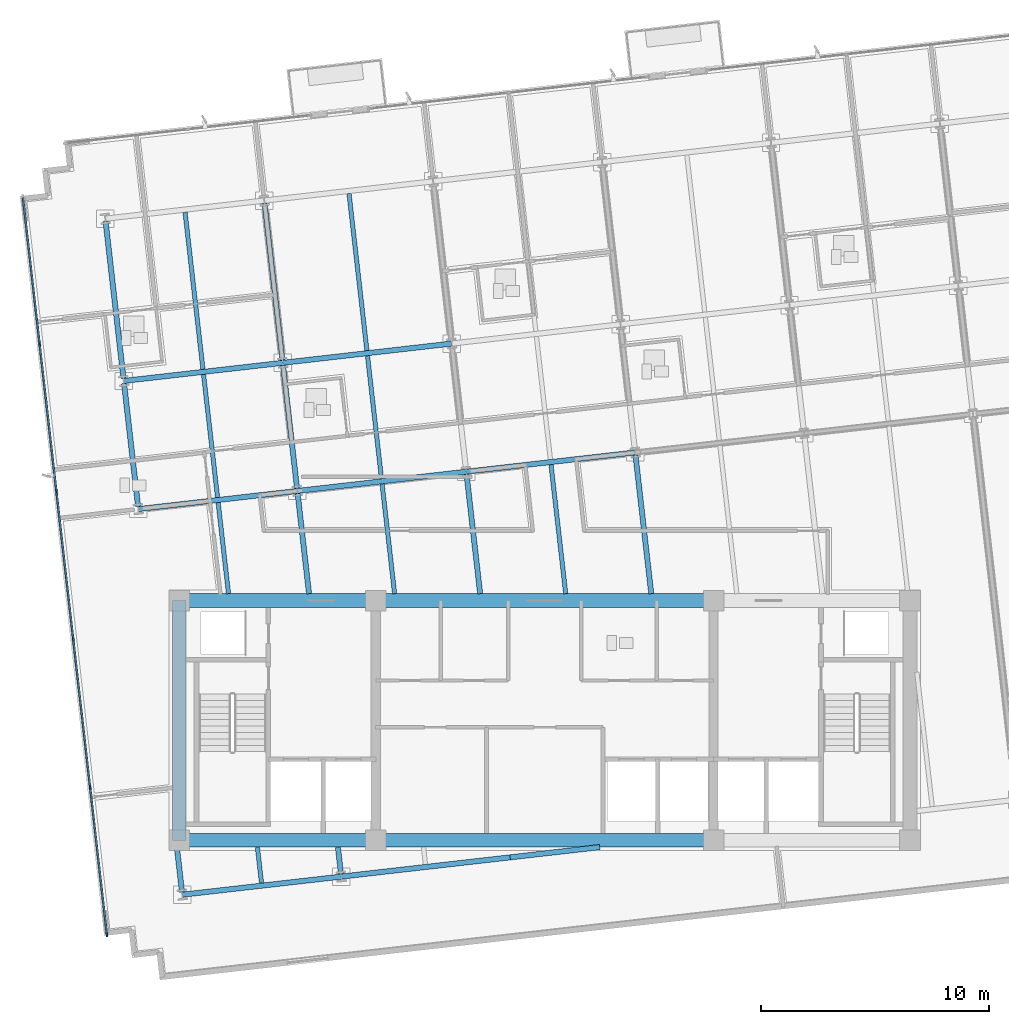
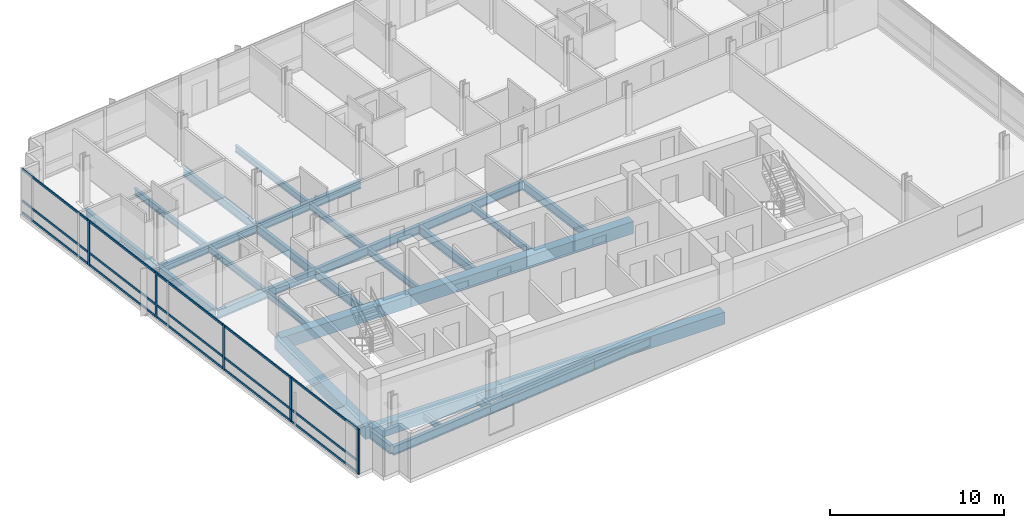
# One storey, part 2 of 17: 30 beams, 20 members, 1 element without a shape of its own.
"""IFC4 building model written with IfcOpenShell, lengths in metres."""

from ifc_helpers import new_model, si_unit, direction, frame, origin, origin_2d, place, context, subcontext, project, spatial, rectangle, i_section, extrude, material, material_profile, profile_set, type_object, element, aggregate, save


model = new_model("IFC4")

# Units and contexts
model_context = context("Model", 3, precision=1e-05, world=origin(), true_north=direction((0.0, 1.0)))
body_context = subcontext(model_context, "Body", "Model", "MODEL_VIEW")
ifc_project = project(units=[si_unit("LENGTHUNIT", "METRE"), si_unit("AREAUNIT", "SQUARE_METRE"), si_unit("VOLUMEUNIT", "CUBIC_METRE"), si_unit("PLANEANGLEUNIT", "RADIAN"), si_unit("MASSUNIT", "GRAM", prefix="KILO")], contexts=[model_context])

# Site, building, storey
site_placement = place(None, origin())
site = spatial("IfcSite", under=ifc_project, at=site_placement, CompositionType="ELEMENT")
building_placement = place(site_placement, origin())
building = spatial("IfcBuilding", under=site, at=building_placement, Name="Solmavex Isthmus Hotel", CompositionType="ELEMENT")
storey_placement = place(building_placement, frame((0.0, 0.0, 198.60009765625)))
storey = spatial("IfcBuildingStorey", under=building, at=storey_placement, Name="L53", CompositionType="ELEMENT", Elevation=198.60009765625)

# Beams
ifc_material_1 = material(Name="Steel ASTM A992 Grade 50", Category="steel")
ifc_material_profile_1 = material_profile(ifc_material_1, i_section(OverallWidth=0.1904296875, OverallDepth=0.456787109375, WebThickness=0.009033203125, FlangeThickness=0.014404296875, FilletRadius=0.0126953125, at=origin_2d()), Name="W18X50")
ifc_profile_set_1 = profile_set([ifc_material_profile_1], Name="Steel ASTM A992 Grade 50")
beam_type_1 = type_object("IfcBeamType", Name="BM-BJ-W18X50", PredefinedType="JOIST", material=ifc_profile_set_1)
beam_1_placement = place(storey_placement, frame((-12.404052734375, -14.872314453125, -0.488525390625), z_axis=(-0.113242002738, 0.993567435465, 0.0), x_axis=(-0.993567435465, -0.113242002738, 0.0)))
element("IfcBeam", 1, at=beam_1_placement, inside=storey, type_object=beam_type_1, Name="Secondary Floor Joist L53-J01", PredefinedType="JOIST", context=body_context, shape_type="SweptSolid", body=[
    extrude(i_section(OverallWidth=0.1904296875, OverallDepth=0.456787109375, WebThickness=0.009033203125, FlangeThickness=0.014404296875, FilletRadius=0.0126953125, at=origin_2d()), origin(), (0.0, 0.0, 1.0), 1.58251953125),
])
beam_2_placement = place(storey_placement, frame((-13.847900390625, -2.199951171875, -0.488525390625), z_axis=(-0.113179724577, 0.993574531651, 0.0), x_axis=(-0.993574531651, -0.113179724577, 0.0)))
element("IfcBeam", 2, at=beam_2_placement, inside=storey, type_object=beam_type_1, Name="Secondary Floor Joist L53-J02", PredefinedType="JOIST", context=body_context, shape_type="SweptSolid", body=[
    extrude(i_section(OverallWidth=0.1904296875, OverallDepth=0.456787109375, WebThickness=0.009033203125, FlangeThickness=0.014404296875, FilletRadius=0.0126953125, at=origin_2d()), origin(), (0.0, 0.0, 1.0), 4.0166015625),
])
beam_3_placement = place(storey_placement, frame((-14.328369140625, 2.01708984375, -0.488525390625), z_axis=(-0.113189626161, 0.993573403695, 0.0), x_axis=(-0.993573403695, -0.113189626161, 0.0)))
element("IfcBeam", 3, at=beam_3_placement, inside=storey, type_object=beam_type_1, Name="Secondary Floor Joist L53-J03", PredefinedType="JOIST", context=body_context, shape_type="SweptSolid", body=[
    extrude(i_section(OverallWidth=0.1904296875, OverallDepth=0.456787109375, WebThickness=0.009033203125, FlangeThickness=0.014404296875, FilletRadius=0.0126953125, at=origin_2d()), origin(), (0.0, 0.0, 1.0), 5.42041015625),
])
beam_4_placement = place(storey_placement, frame((-14.9677734375, 7.62890625, -0.488525390625), z_axis=(-0.113202453846, 0.993571942258, 0.0), x_axis=(-0.993571942258, -0.113202453846, 0.0)))
element("IfcBeam", 4, at=beam_4_placement, inside=storey, type_object=beam_type_1, Name="Secondary Floor Joist L53-J04", PredefinedType="JOIST", context=body_context, shape_type="SweptSolid", body=[
    extrude(i_section(OverallWidth=0.1904296875, OverallDepth=0.456787109375, WebThickness=0.009033203125, FlangeThickness=0.014404296875, FilletRadius=0.0126953125, at=origin_2d()), origin(), (0.0, 0.0, 1.0), 6.9228515625),
])
beam_5_placement = place(storey_placement, frame((-6.57421875, -2.199951171875, -0.488525390625), z_axis=(-0.113193768539, 0.993572931779, 0.0), x_axis=(-0.993572931779, -0.113193768539, 0.0)))
element("IfcBeam", 5, at=beam_5_placement, inside=storey, type_object=beam_type_1, Name="Secondary Floor Joist L53-J06", PredefinedType="JOIST", context=body_context, shape_type="SweptSolid", body=[
    extrude(i_section(OverallWidth=0.1904296875, OverallDepth=0.456787109375, WebThickness=0.009033203125, FlangeThickness=0.014404296875, FilletRadius=0.0126953125, at=origin_2d()), origin(), (0.0, 0.0, 1.0), 4.83984375),
])
beam_6_placement = place(storey_placement, frame((-7.14794921875, 2.835205078125, -0.488525390625), z_axis=(-0.113189626161, 0.993573403695, 0.0), x_axis=(-0.993573403695, -0.113189626161, 0.0)))
element("IfcBeam", 6, at=beam_6_placement, inside=storey, type_object=beam_type_1, Name="Secondary Floor Joist L53-J07", PredefinedType="JOIST", context=body_context, shape_type="SweptSolid", body=[
    extrude(i_section(OverallWidth=0.1904296875, OverallDepth=0.456787109375, WebThickness=0.009033203125, FlangeThickness=0.014404296875, FilletRadius=0.0126953125, at=origin_2d()), origin(), (0.0, 0.0, 1.0), 5.42041015625),
])
beam_7_placement = place(storey_placement, frame((-7.787109375, 8.447021484375, -0.488525390625), z_axis=(-0.113202453846, 0.993571942258, 0.0), x_axis=(-0.993571942258, -0.113202453846, 0.0)))
element("IfcBeam", 7, at=beam_7_placement, inside=storey, type_object=beam_type_1, Name="Secondary Floor Joist L53-J08", PredefinedType="JOIST", context=body_context, shape_type="SweptSolid", body=[
    extrude(i_section(OverallWidth=0.1904296875, OverallDepth=0.456787109375, WebThickness=0.009033203125, FlangeThickness=0.014404296875, FilletRadius=0.0126953125, at=origin_2d()), origin(), (0.0, 0.0, 1.0), 6.9228515625),
])
beam_8_placement = place(storey_placement, frame((0.920166015625, -2.199951171875, -0.488525390625), z_axis=(-0.113219765873, 0.993569969663, 0.0), x_axis=(-0.993569969663, -0.113219765873, 0.0)))
element("IfcBeam", 8, at=beam_8_placement, inside=storey, type_object=beam_type_1, Name="Secondary Floor Joist L53-J09", PredefinedType="JOIST", context=body_context, shape_type="SweptSolid", body=[
    extrude(i_section(OverallWidth=0.1904296875, OverallDepth=0.456787109375, WebThickness=0.009033203125, FlangeThickness=0.014404296875, FilletRadius=0.0126953125, at=origin_2d()), origin(), (0.0, 0.0, 1.0), 5.6884765625),
])
ifc_material_profile_2 = material_profile(ifc_material_1, i_section(OverallWidth=0.227783203125, OverallDepth=0.602783203125, WebThickness=0.010498046875, FlangeThickness=0.014892578125, FilletRadius=0.01513671875, at=origin_2d()), Name="W24X68")
ifc_profile_set_2 = profile_set([ifc_material_profile_2], Name="Steel ASTM A992 Grade 50")
beam_type_2 = type_object("IfcBeamType", Name="BM-BM-W24X68", PredefinedType="BEAM", material=ifc_profile_set_2)
beam_9_placement = place(storey_placement, frame((-17.796875, 1.50732421875, -0.5615234375), z_axis=(0.993569675103, 0.113222350774, 0.0), x_axis=(-0.113222350774, 0.993569675103, 0.0)))
element("IfcBeam", 9, at=beam_9_placement, inside=storey, type_object=beam_type_2, Name="Floor Girder L53-UG06", PredefinedType="BEAM", context=body_context, shape_type="SweptSolid", body=[
    extrude(i_section(OverallWidth=0.227783203125, OverallDepth=0.602783203125, WebThickness=0.010498046875, FlangeThickness=0.014892578125, FilletRadius=0.01513671875, at=origin_2d()), origin(), (0.0, 0.0, 1.0), 7.008056640625),
])
beam_10_placement = place(storey_placement, frame((-10.833984375, 2.30078125, -0.5615234375), z_axis=(0.993574034044, 0.113184092846, 0.0), x_axis=(-0.113184092846, 0.993574034044, 0.0)))
element("IfcBeam", 10, at=beam_10_placement, inside=storey, type_object=beam_type_2, Name="Floor Girder L53-UG07", PredefinedType="BEAM", context=body_context, shape_type="SweptSolid", body=[
    extrude(i_section(OverallWidth=0.227783203125, OverallDepth=0.602783203125, WebThickness=0.010498046875, FlangeThickness=0.014892578125, FilletRadius=0.01513671875, at=origin_2d()), origin(), (0.0, 0.0, 1.0), 7.446044921875),
])
beam_11_placement = place(storey_placement, frame((-3.435791015625, 3.1435546875, -0.5615234375), z_axis=(0.993569926006, 0.113220148984, 0.0), x_axis=(-0.113220148984, 0.993569926006, 0.0)))
element("IfcBeam", 11, at=beam_11_placement, inside=storey, type_object=beam_type_2, Name="Floor Girder L53-UG08", PredefinedType="BEAM", context=body_context, shape_type="SweptSolid", body=[
    extrude(i_section(OverallWidth=0.227783203125, OverallDepth=0.602783203125, WebThickness=0.010498046875, FlangeThickness=0.014892578125, FilletRadius=0.01513671875, at=origin_2d()), origin(), (0.0, 0.0, 1.0), 7.44580078125),
])
beam_12_placement = place(storey_placement, frame((-18.436279296875, 7.119140625, -0.5615234375), z_axis=(0.99357359356, 0.113187959519, 0.0), x_axis=(-0.113187959519, 0.99357359356, 0.0)))
element("IfcBeam", 12, at=beam_12_placement, inside=storey, type_object=beam_type_2, Name="Floor Girder L53-UG12", PredefinedType="BEAM", context=body_context, shape_type="SweptSolid", body=[
    extrude(i_section(OverallWidth=0.227783203125, OverallDepth=0.602783203125, WebThickness=0.010498046875, FlangeThickness=0.014892578125, FilletRadius=0.01513671875, at=origin_2d()), origin(), (0.0, 0.0, 1.0), 7.0078125),
])
beam_13_placement = place(storey_placement, frame((-11.473388671875, 7.912353515625, -0.5615234375), z_axis=(0.9935703463, 0.113216460607, 0.0), x_axis=(-0.113216460607, 0.9935703463, 0.0)))
element("IfcBeam", 13, at=beam_13_placement, inside=storey, type_object=beam_type_2, Name="Floor Girder L53-UG13", PredefinedType="BEAM", context=body_context, shape_type="SweptSolid", body=[
    extrude(i_section(OverallWidth=0.227783203125, OverallDepth=0.602783203125, WebThickness=0.010498046875, FlangeThickness=0.014892578125, FilletRadius=0.01513671875, at=origin_2d()), origin(), (0.0, 0.0, 1.0), 7.446044921875),
])
beam_14_placement = place(storey_placement, frame((-8.922607421875, -14.4755859375, -0.5615234375), z_axis=(-0.113284703976, 0.993562567655, 0.0), x_axis=(-0.993562567655, -0.113284703976, 0.0)))
element("IfcBeam", 14, at=beam_14_placement, inside=storey, type_object=beam_type_2, Name="Floor Beam L53-VG27", PredefinedType="BEAM", context=body_context, shape_type="SweptSolid", body=[
    extrude(i_section(OverallWidth=0.227783203125, OverallDepth=0.602783203125, WebThickness=0.010498046875, FlangeThickness=0.014892578125, FilletRadius=0.01513671875, at=origin_2d()), origin(), (0.0, 0.0, 1.0), 1.18310546875),
])
beam_15_placement = place(storey_placement, frame((-10.3212890625, -2.199951171875, -0.5615234375), z_axis=(-0.113173914695, 0.993575193447, 0.0), x_axis=(-0.993575193447, -0.113173914695, 0.0)))
element("IfcBeam", 15, at=beam_15_placement, inside=storey, type_object=beam_type_2, Name="Floor Beam L53-VG28", PredefinedType="BEAM", context=body_context, shape_type="SweptSolid", body=[
    extrude(i_section(OverallWidth=0.227783203125, OverallDepth=0.602783203125, WebThickness=0.010498046875, FlangeThickness=0.014892578125, FilletRadius=0.01513671875, at=origin_2d()), origin(), (0.0, 0.0, 1.0), 4.415771484375),
])
beam_16_placement = place(storey_placement, frame((-10.846923828125, 2.413818359375, -0.5615234375), z_axis=(-0.113189626161, 0.993573403695, 0.0), x_axis=(-0.993573403695, -0.113189626161, 0.0)))
element("IfcBeam", 16, at=beam_16_placement, inside=storey, type_object=beam_type_2, Name="Floor Beam L53-VG29", PredefinedType="BEAM", context=body_context, shape_type="SweptSolid", body=[
    extrude(i_section(OverallWidth=0.227783203125, OverallDepth=0.602783203125, WebThickness=0.010498046875, FlangeThickness=0.014892578125, FilletRadius=0.01513671875, at=origin_2d()), origin(), (0.0, 0.0, 1.0), 5.42041015625),
])
beam_17_placement = place(storey_placement, frame((-11.486328125, 8.025634765625, -0.5615234375), z_axis=(-0.113202453846, 0.993571942258, 0.0), x_axis=(-0.993571942258, -0.113202453846, 0.0)))
element("IfcBeam", 17, at=beam_17_placement, inside=storey, type_object=beam_type_2, Name="Floor Beam L53-VG30", PredefinedType="BEAM", context=body_context, shape_type="SweptSolid", body=[
    extrude(i_section(OverallWidth=0.227783203125, OverallDepth=0.602783203125, WebThickness=0.010498046875, FlangeThickness=0.014892578125, FilletRadius=0.01513671875, at=origin_2d()), origin(), (0.0, 0.0, 1.0), 6.9228515625),
])
beam_18_placement = place(storey_placement, frame((-2.8271484375, -2.199951171875, -0.5615234375), z_axis=(-0.113159423971, 0.993576843916, 0.0), x_axis=(-0.993576843916, -0.113159423971, 0.0)))
element("IfcBeam", 18, at=beam_18_placement, inside=storey, type_object=beam_type_2, Name="Floor Beam L53-VG31", PredefinedType="BEAM", context=body_context, shape_type="SweptSolid", body=[
    extrude(i_section(OverallWidth=0.227783203125, OverallDepth=0.602783203125, WebThickness=0.010498046875, FlangeThickness=0.014892578125, FilletRadius=0.01513671875, at=origin_2d()), origin(), (0.0, 0.0, 1.0), 5.26416015625),
])
beam_19_placement = place(storey_placement, frame((4.667236328125, -2.199951171875, -0.5615234375), z_axis=(-0.113232304752, 0.993568540746, 0.0), x_axis=(-0.993568540746, -0.113232304752, 0.0)))
element("IfcBeam", 19, at=beam_19_placement, inside=storey, type_object=beam_type_2, Name="Floor Beam L53-VG34", PredefinedType="BEAM", context=body_context, shape_type="SweptSolid", body=[
    extrude(i_section(OverallWidth=0.227783203125, OverallDepth=0.602783203125, WebThickness=0.010498046875, FlangeThickness=0.014892578125, FilletRadius=0.01513671875, at=origin_2d()), origin(), (0.0, 0.0, 1.0), 6.112548828125),
])
ifc_material_2 = material(Name="Concrete C50/60", Category="concrete")
ifc_material_profile_3 = material_profile(ifc_material_2, rectangle(XDim=0.60009765625, YDim=0.85009765625, at=origin_2d()), Name="RC600X850")
ifc_profile_set_3 = profile_set([ifc_material_profile_3], Name="Concrete C50/60")
beam_type_3 = type_object("IfcBeamType", Name="BM-CB-600X850", PredefinedType="BEAM", material=ifc_profile_set_3)
beam_20_placement = place(storey_placement, frame((-16.0, -13.0, -0.68505859375), z_axis=(1.0, 0.0, 0.0), x_axis=(0.0, 1.0, 0.0)))
element("IfcBeam", 20, at=beam_20_placement, inside=storey, type_object=beam_type_3, Name="Core Coupling Beam L53-CB1", PredefinedType="BEAM", context=body_context, shape_type="SweptSolid", body=[
    extrude(rectangle(XDim=0.60009765625, YDim=0.85009765625, at=origin_2d()), origin(), (0.0, 0.0, 1.0), 8.60009765625),
])
beam_21_placement = place(storey_placement, frame((-7.39990234375, -13.0, -0.68505859375), z_axis=(1.0, 0.0, 0.0), x_axis=(0.0, 1.0, 0.0)))
element("IfcBeam", 21, at=beam_21_placement, inside=storey, type_object=beam_type_3, Name="Core Coupling Beam L53-CB2", PredefinedType="BEAM", context=body_context, shape_type="SweptSolid", body=[
    extrude(rectangle(XDim=0.60009765625, YDim=0.85009765625, at=origin_2d()), origin(), (0.0, 0.0, 1.0), 14.7998046875),
])
beam_22_placement = place(storey_placement, frame((-16.0, -2.5, -0.68505859375), z_axis=(1.0, 0.0, 0.0), x_axis=(0.0, 1.0, 0.0)))
element("IfcBeam", 22, at=beam_22_placement, inside=storey, type_object=beam_type_3, Name="Core Coupling Beam L53-CB4", PredefinedType="BEAM", context=body_context, shape_type="SweptSolid", body=[
    extrude(rectangle(XDim=0.60009765625, YDim=0.85009765625, at=origin_2d()), origin(), (0.0, 0.0, 1.0), 8.60009765625),
])
beam_23_placement = place(storey_placement, frame((-7.39990234375, -2.5, -0.68505859375), z_axis=(1.0, 0.0, 0.0), x_axis=(0.0, 1.0, 0.0)))
element("IfcBeam", 23, at=beam_23_placement, inside=storey, type_object=beam_type_3, Name="Core Coupling Beam L53-CB5", PredefinedType="BEAM", context=body_context, shape_type="SweptSolid", body=[
    extrude(rectangle(XDim=0.60009765625, YDim=0.85009765625, at=origin_2d()), origin(), (0.0, 0.0, 1.0), 14.7998046875),
])
beam_24_placement = place(storey_placement, frame((-16.0, -13.0, -0.68505859375), z_axis=(0.0, 1.0, 0.0), x_axis=(-1.0, 0.0, 0.0)))
element("IfcBeam", 24, at=beam_24_placement, inside=storey, type_object=beam_type_3, Name="Core Coupling Beam L53-CB7", PredefinedType="BEAM", context=body_context, shape_type="SweptSolid", body=[
    extrude(rectangle(XDim=0.60009765625, YDim=0.85009765625, at=origin_2d()), origin(), (0.0, 0.0, 1.0), 10.5),
])
ifc_material_profile_4 = material_profile(ifc_material_1, i_section(OverallWidth=0.230224609375, OverallDepth=0.617431640625, WebThickness=0.01318359375, FlangeThickness=0.022216796875, FilletRadius=0.01513671875, at=origin_2d()), Name="W24X94")
ifc_profile_set_4 = profile_set([ifc_material_profile_4], Name="Steel ASTM A992 Grade 50")
beam_type_4 = type_object("IfcBeamType", Name="BM-SP-W24X94", PredefinedType="SPANDREL", material=ifc_profile_set_4)
beam_25_placement = place(storey_placement, frame((-15.87255859375, -15.38330078125, -0.56884765625), z_axis=(0.993574039862, 0.113184041777, 0.0), x_axis=(-0.113184041777, 0.993574039862, 0.0)))
element("IfcBeam", 25, at=beam_25_placement, inside=storey, type_object=beam_type_4, Name="Floor Girder L53-UG01", PredefinedType="SPANDREL", context=body_context, shape_type="SweptSolid", body=[
    extrude(i_section(OverallWidth=0.230224609375, OverallDepth=0.617431640625, WebThickness=0.01318359375, FlangeThickness=0.022216796875, FilletRadius=0.01513671875, at=origin_2d()), origin(), (0.0, 0.0, 1.0), 7.008056640625),
])
beam_26_placement = place(storey_placement, frame((-8.909423828125, -14.590087890625, -0.56884765625), z_axis=(0.993569926006, 0.113220148984, 0.0), x_axis=(-0.113220148984, 0.993569926006, 0.0)))
element("IfcBeam", 26, at=beam_26_placement, inside=storey, type_object=beam_type_4, Name="Floor Girder L53-UG02", PredefinedType="SPANDREL", context=body_context, shape_type="SweptSolid", body=[
    extrude(i_section(OverallWidth=0.230224609375, OverallDepth=0.617431640625, WebThickness=0.01318359375, FlangeThickness=0.022216796875, FilletRadius=0.01513671875, at=origin_2d()), origin(), (0.0, 0.0, 1.0), 7.44580078125),
])
beam_27_placement = place(storey_placement, frame((-1.511474609375, -13.7470703125, -0.56884765625), z_axis=(0.993575434773, 0.113171796023, 0.0), x_axis=(-0.113171796023, 0.993575434773, 0.0)))
element("IfcBeam", 27, at=beam_27_placement, inside=storey, type_object=beam_type_4, Name="Floor Girder L53-UG03", PredefinedType="SPANDREL", context=body_context, shape_type="SweptSolid", body=[
    extrude(i_section(OverallWidth=0.230224609375, OverallDepth=0.617431640625, WebThickness=0.01318359375, FlangeThickness=0.022216796875, FilletRadius=0.01513671875, at=origin_2d()), origin(), (0.0, 0.0, 1.0), 3.949951171875),
])
beam_28_placement = place(storey_placement, frame((-15.885498046875, -15.268798828125, -0.56884765625), z_axis=(-0.113230368519, 0.993568761408, 0.0), x_axis=(-0.993568761408, -0.113230368519, 0.0)))
element("IfcBeam", 28, at=beam_28_placement, inside=storey, type_object=beam_type_4, Name="Floor Beam L53-VG24", PredefinedType="SPANDREL", context=body_context, shape_type="SweptSolid", body=[
    extrude(i_section(OverallWidth=0.230224609375, OverallDepth=0.617431640625, WebThickness=0.01318359375, FlangeThickness=0.022216796875, FilletRadius=0.01513671875, at=origin_2d()), origin(), (0.0, 0.0, 1.0), 1.9814453125),
])
beam_29_placement = place(storey_placement, frame((-17.809814453125, 1.62060546875, -0.56884765625), z_axis=(-0.113194691868, 0.993572826587, 0.0), x_axis=(-0.993572826587, -0.113194691868, 0.0)))
element("IfcBeam", 29, at=beam_29_placement, inside=storey, type_object=beam_type_4, Name="Floor Beam L53-VG25", PredefinedType="SPANDREL", context=body_context, shape_type="SweptSolid", body=[
    extrude(i_section(OverallWidth=0.230224609375, OverallDepth=0.617431640625, WebThickness=0.01318359375, FlangeThickness=0.022216796875, FilletRadius=0.01513671875, at=origin_2d()), origin(), (0.0, 0.0, 1.0), 5.420166015625),
])
beam_30_placement = place(storey_placement, frame((-18.44921875, 7.232177734375, -0.56884765625), z_axis=(-0.113202453846, 0.993571942258, 0.0), x_axis=(-0.993571942258, -0.113202453846, 0.0)))
element("IfcBeam", 30, at=beam_30_placement, inside=storey, type_object=beam_type_4, Name="Floor Beam L53-VG26", PredefinedType="SPANDREL", context=body_context, shape_type="SweptSolid", body=[
    extrude(i_section(OverallWidth=0.230224609375, OverallDepth=0.617431640625, WebThickness=0.01318359375, FlangeThickness=0.022216796875, FilletRadius=0.01513671875, at=origin_2d()), origin(), (0.0, 0.0, 1.0), 6.9228515625),
])

# Curtain wall, members
ifc_material_3 = material(Name="Aluminium alloy 6063-T6", Category="aluminium")
curtain_wall_type = type_object("IfcCurtainWallType", Name="CW-SYS-04", PredefinedType="NOTDEFINED", material=ifc_material_3)
curtain_wall_placement = place(storey_placement, origin())
curtain_wall = element("IfcCurtainWall", 31, at=curtain_wall_placement, inside=storey, type_object=curtain_wall_type, Name="Stick Curtain Wall CWL-L53-W1", PredefinedType="NOTDEFINED")
ifc_material_profile_5 = material_profile(ifc_material_3, rectangle(XDim=0.074951171875, YDim=0.199951171875, at=origin_2d()), Name="CWM-75X200")
ifc_profile_set_5 = profile_set([ifc_material_profile_5], Name="Aluminium alloy 6063-T6")
member_type_1 = type_object("IfcMemberType", Name="CW-SYS-04-MUL", PredefinedType="MULLION", material=ifc_profile_set_5)
member_1_placement = place(storey_placement, frame((-19.17578125, -17.131103515625, 0.0), z_axis=(0.0, 0.0, 1.0), x_axis=(-0.993571836648, -0.11320338078, 0.0)))
member_1 = element("IfcMember", 32, at=member_1_placement, type_object=member_type_1, Name="CW-04 mullion 1", PredefinedType="MULLION", context=body_context, shape_type="SweptSolid", body=[
    extrude(rectangle(XDim=0.074951171875, YDim=0.199951171875, at=origin_2d()), origin(), (0.0, 0.0, 1.0), 3.18994140625),
])
member_2_placement = place(storey_placement, frame((-19.90966796875, -10.690185546875, 0.0), z_axis=(0.0, 0.0, 1.0), x_axis=(-0.993571836648, -0.11320338078, 0.0)))
member_2 = element("IfcMember", 33, at=member_2_placement, type_object=member_type_1, Name="CW-04 mullion 2", PredefinedType="MULLION", context=body_context, shape_type="SweptSolid", body=[
    extrude(rectangle(XDim=0.074951171875, YDim=0.199951171875, at=origin_2d()), origin(), (0.0, 0.0, 1.0), 3.18994140625),
])
member_3_placement = place(storey_placement, frame((-20.647705078125, -4.212158203125, 0.0), z_axis=(0.0, 0.0, 1.0), x_axis=(-0.993571836648, -0.11320338078, 0.0)))
member_3 = element("IfcMember", 34, at=member_3_placement, type_object=member_type_1, Name="CW-04 mullion 3", PredefinedType="MULLION", context=body_context, shape_type="SweptSolid", body=[
    extrude(rectangle(XDim=0.074951171875, YDim=0.199951171875, at=origin_2d()), origin(), (0.0, 0.0, 1.0), 3.18994140625),
])
member_4_placement = place(storey_placement, frame((-21.385986328125, 2.265869140625, 0.0), z_axis=(0.0, 0.0, 1.0), x_axis=(-0.993571836648, -0.11320338078, 0.0)))
member_4 = element("IfcMember", 35, at=member_4_placement, type_object=member_type_1, Name="CW-04 mullion 4", PredefinedType="MULLION", context=body_context, shape_type="SweptSolid", body=[
    extrude(rectangle(XDim=0.074951171875, YDim=0.199951171875, at=origin_2d()), origin(), (0.0, 0.0, 1.0), 3.18994140625),
])
member_5_placement = place(storey_placement, frame((-22.1240234375, 8.744140625, 0.0), z_axis=(0.0, 0.0, 1.0), x_axis=(-0.993571836648, -0.11320338078, 0.0)))
member_5 = element("IfcMember", 36, at=member_5_placement, type_object=member_type_1, Name="CW-04 mullion 5", PredefinedType="MULLION", context=body_context, shape_type="SweptSolid", body=[
    extrude(rectangle(XDim=0.074951171875, YDim=0.199951171875, at=origin_2d()), origin(), (0.0, 0.0, 1.0), 3.18994140625),
])
ifc_material_profile_6 = material_profile(ifc_material_3, rectangle(XDim=0.074951171875, YDim=0.14990234375, at=origin_2d()), Name="CWT-75X150")
ifc_profile_set_6 = profile_set([ifc_material_profile_6], Name="Aluminium alloy 6063-T6")
member_type_2 = type_object("IfcMemberType", Name="CW-SYS-04-TRN", PredefinedType="USERDEFINED", material=ifc_profile_set_6)
member_6_placement = place(storey_placement, frame((-19.18017578125, -17.09375, 0.074951171875), z_axis=(-0.113203780919, 0.993571791058, 0.0), x_axis=(-0.993571791058, -0.113203780919, 0.0)))
member_6 = element("IfcMember", 37, at=member_6_placement, type_object=member_type_2, Name="CW-04 transom 1.1", ObjectType="TRANSOM", PredefinedType="USERDEFINED", context=body_context, shape_type="SweptSolid", body=[
    extrude(rectangle(XDim=0.074951171875, YDim=0.14990234375, at=origin_2d()), origin(), (0.0, 0.0, 1.0), 6.407470703125),
])
member_7_placement = place(storey_placement, frame((-19.18017578125, -17.09375, 0.89990234375), z_axis=(-0.113203780919, 0.993571791058, 0.0), x_axis=(-0.993571791058, -0.113203780919, 0.0)))
member_7 = element("IfcMember", 38, at=member_7_placement, type_object=member_type_2, Name="CW-04 transom 1.2", ObjectType="TRANSOM", PredefinedType="USERDEFINED", context=body_context, shape_type="SweptSolid", body=[
    extrude(rectangle(XDim=0.074951171875, YDim=0.14990234375, at=origin_2d()), origin(), (0.0, 0.0, 1.0), 6.407470703125),
])
member_8_placement = place(storey_placement, frame((-19.18017578125, -17.09375, 3.114990234375), z_axis=(-0.113203780919, 0.993571791058, 0.0), x_axis=(-0.993571791058, -0.113203780919, 0.0)))
member_8 = element("IfcMember", 39, at=member_8_placement, type_object=member_type_2, Name="CW-04 transom 1.3", ObjectType="TRANSOM", PredefinedType="USERDEFINED", context=body_context, shape_type="SweptSolid", body=[
    extrude(rectangle(XDim=0.074951171875, YDim=0.14990234375, at=origin_2d()), origin(), (0.0, 0.0, 1.0), 6.407470703125),
])
member_9_placement = place(storey_placement, frame((-19.9140625, -10.653076171875, 0.074951171875), z_axis=(-0.113187617296, 0.993573632546, 0.0), x_axis=(-0.993573632546, -0.113187617296, 0.0)))
member_9 = element("IfcMember", 40, at=member_9_placement, type_object=member_type_2, Name="CW-04 transom 2.1", ObjectType="TRANSOM", PredefinedType="USERDEFINED", context=body_context, shape_type="SweptSolid", body=[
    extrude(rectangle(XDim=0.074951171875, YDim=0.14990234375, at=origin_2d()), origin(), (0.0, 0.0, 1.0), 6.445068359375),
])
member_10_placement = place(storey_placement, frame((-19.9140625, -10.653076171875, 0.89990234375), z_axis=(-0.113187617296, 0.993573632546, 0.0), x_axis=(-0.993573632546, -0.113187617296, 0.0)))
member_10 = element("IfcMember", 41, at=member_10_placement, type_object=member_type_2, Name="CW-04 transom 2.2", ObjectType="TRANSOM", PredefinedType="USERDEFINED", context=body_context, shape_type="SweptSolid", body=[
    extrude(rectangle(XDim=0.074951171875, YDim=0.14990234375, at=origin_2d()), origin(), (0.0, 0.0, 1.0), 6.445068359375),
])
member_11_placement = place(storey_placement, frame((-19.9140625, -10.653076171875, 3.114990234375), z_axis=(-0.113187617296, 0.993573632546, 0.0), x_axis=(-0.993573632546, -0.113187617296, 0.0)))
member_11 = element("IfcMember", 42, at=member_11_placement, type_object=member_type_2, Name="CW-04 transom 2.3", ObjectType="TRANSOM", PredefinedType="USERDEFINED", context=body_context, shape_type="SweptSolid", body=[
    extrude(rectangle(XDim=0.074951171875, YDim=0.14990234375, at=origin_2d()), origin(), (0.0, 0.0, 1.0), 6.445068359375),
])
member_12_placement = place(storey_placement, frame((-20.652099609375, -4.1748046875, 0.074951171875), z_axis=(-0.113187617296, 0.993573632546, 0.0), x_axis=(-0.993573632546, -0.113187617296, 0.0)))
member_12 = element("IfcMember", 43, at=member_12_placement, type_object=member_type_2, Name="CW-04 transom 3.1", ObjectType="TRANSOM", PredefinedType="USERDEFINED", context=body_context, shape_type="SweptSolid", body=[
    extrude(rectangle(XDim=0.074951171875, YDim=0.14990234375, at=origin_2d()), origin(), (0.0, 0.0, 1.0), 6.445068359375),
])
member_13_placement = place(storey_placement, frame((-20.652099609375, -4.1748046875, 0.89990234375), z_axis=(-0.113187617296, 0.993573632546, 0.0), x_axis=(-0.993573632546, -0.113187617296, 0.0)))
member_13 = element("IfcMember", 44, at=member_13_placement, type_object=member_type_2, Name="CW-04 transom 3.2", ObjectType="TRANSOM", PredefinedType="USERDEFINED", context=body_context, shape_type="SweptSolid", body=[
    extrude(rectangle(XDim=0.074951171875, YDim=0.14990234375, at=origin_2d()), origin(), (0.0, 0.0, 1.0), 6.445068359375),
])
member_14_placement = place(storey_placement, frame((-20.652099609375, -4.1748046875, 3.114990234375), z_axis=(-0.113187617296, 0.993573632546, 0.0), x_axis=(-0.993573632546, -0.113187617296, 0.0)))
member_14 = element("IfcMember", 45, at=member_14_placement, type_object=member_type_2, Name="CW-04 transom 3.3", ObjectType="TRANSOM", PredefinedType="USERDEFINED", context=body_context, shape_type="SweptSolid", body=[
    extrude(rectangle(XDim=0.074951171875, YDim=0.14990234375, at=origin_2d()), origin(), (0.0, 0.0, 1.0), 6.445068359375),
])
member_15_placement = place(storey_placement, frame((-21.39013671875, 2.30322265625, 0.074951171875), z_axis=(-0.113187617296, 0.993573632546, 0.0), x_axis=(-0.993573632546, -0.113187617296, 0.0)))
member_15 = element("IfcMember", 46, at=member_15_placement, type_object=member_type_2, Name="CW-04 transom 4.1", ObjectType="TRANSOM", PredefinedType="USERDEFINED", context=body_context, shape_type="SweptSolid", body=[
    extrude(rectangle(XDim=0.074951171875, YDim=0.14990234375, at=origin_2d()), origin(), (0.0, 0.0, 1.0), 6.445068359375),
])
member_16_placement = place(storey_placement, frame((-21.39013671875, 2.30322265625, 0.89990234375), z_axis=(-0.113187617296, 0.993573632546, 0.0), x_axis=(-0.993573632546, -0.113187617296, 0.0)))
member_16 = element("IfcMember", 47, at=member_16_placement, type_object=member_type_2, Name="CW-04 transom 4.2", ObjectType="TRANSOM", PredefinedType="USERDEFINED", context=body_context, shape_type="SweptSolid", body=[
    extrude(rectangle(XDim=0.074951171875, YDim=0.14990234375, at=origin_2d()), origin(), (0.0, 0.0, 1.0), 6.445068359375),
])
member_17_placement = place(storey_placement, frame((-21.39013671875, 2.30322265625, 3.114990234375), z_axis=(-0.113187617296, 0.993573632546, 0.0), x_axis=(-0.993573632546, -0.113187617296, 0.0)))
member_17 = element("IfcMember", 48, at=member_17_placement, type_object=member_type_2, Name="CW-04 transom 4.3", ObjectType="TRANSOM", PredefinedType="USERDEFINED", context=body_context, shape_type="SweptSolid", body=[
    extrude(rectangle(XDim=0.074951171875, YDim=0.14990234375, at=origin_2d()), origin(), (0.0, 0.0, 1.0), 6.445068359375),
])
member_18_placement = place(storey_placement, frame((-22.128173828125, 8.78125, 0.074951171875), z_axis=(-0.113199495412, 0.993572279323, 0.0), x_axis=(-0.993572279323, -0.113199495412, 0.0)))
member_18 = element("IfcMember", 49, at=member_18_placement, type_object=member_type_2, Name="CW-04 transom 5.1", ObjectType="TRANSOM", PredefinedType="USERDEFINED", context=body_context, shape_type="SweptSolid", body=[
    extrude(rectangle(XDim=0.074951171875, YDim=0.14990234375, at=origin_2d()), origin(), (0.0, 0.0, 1.0), 6.40771484375),
])
member_19_placement = place(storey_placement, frame((-22.128173828125, 8.78125, 0.89990234375), z_axis=(-0.113199495412, 0.993572279323, 0.0), x_axis=(-0.993572279323, -0.113199495412, 0.0)))
member_19 = element("IfcMember", 50, at=member_19_placement, type_object=member_type_2, Name="CW-04 transom 5.2", ObjectType="TRANSOM", PredefinedType="USERDEFINED", context=body_context, shape_type="SweptSolid", body=[
    extrude(rectangle(XDim=0.074951171875, YDim=0.14990234375, at=origin_2d()), origin(), (0.0, 0.0, 1.0), 6.40771484375),
])
member_20_placement = place(storey_placement, frame((-22.128173828125, 8.78125, 3.114990234375), z_axis=(-0.113199495412, 0.993572279323, 0.0), x_axis=(-0.993572279323, -0.113199495412, 0.0)))
member_20 = element("IfcMember", 51, at=member_20_placement, type_object=member_type_2, Name="CW-04 transom 5.3", ObjectType="TRANSOM", PredefinedType="USERDEFINED", context=body_context, shape_type="SweptSolid", body=[
    extrude(rectangle(XDim=0.074951171875, YDim=0.14990234375, at=origin_2d()), origin(), (0.0, 0.0, 1.0), 6.40771484375),
])
aggregate(curtain_wall, [member_1, member_2, member_3, member_4, member_5, member_6, member_7, member_8, member_9, member_10, member_11, member_12, member_13, member_14, member_15, member_16, member_17, member_18, member_19, member_20])

save(model, "model.ifc")
